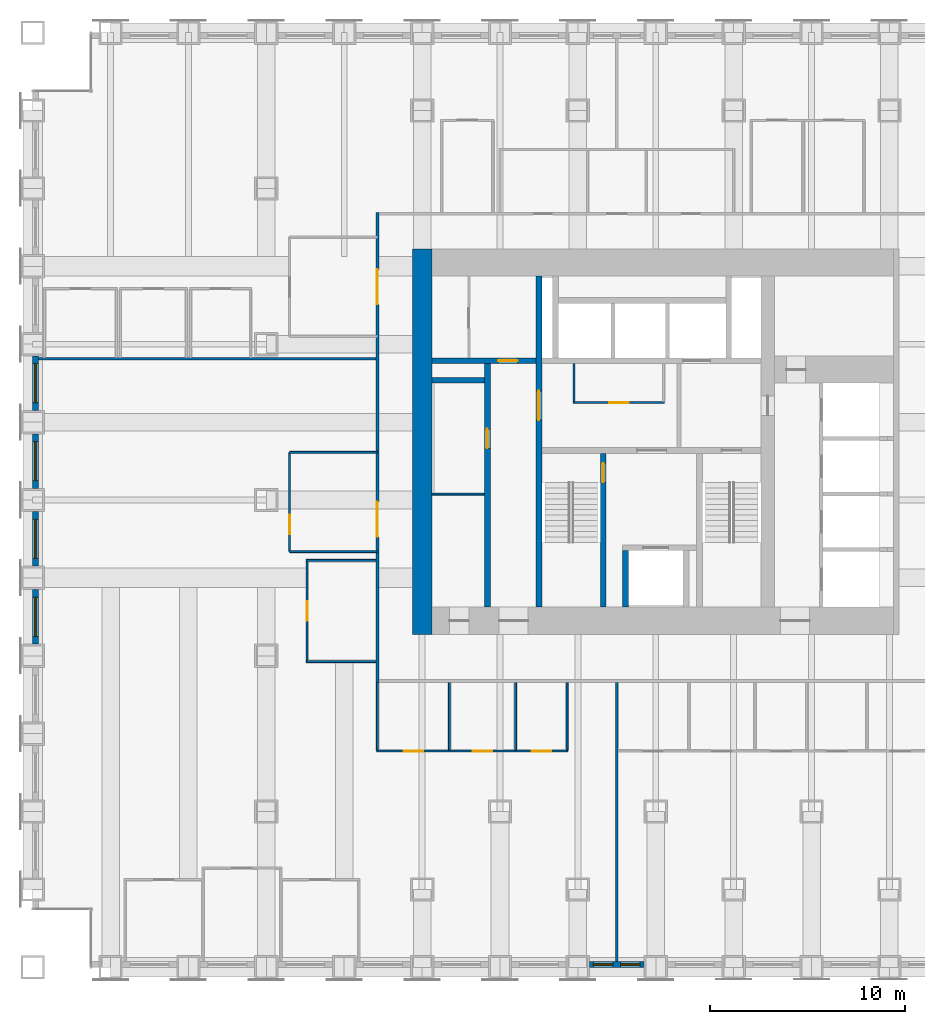
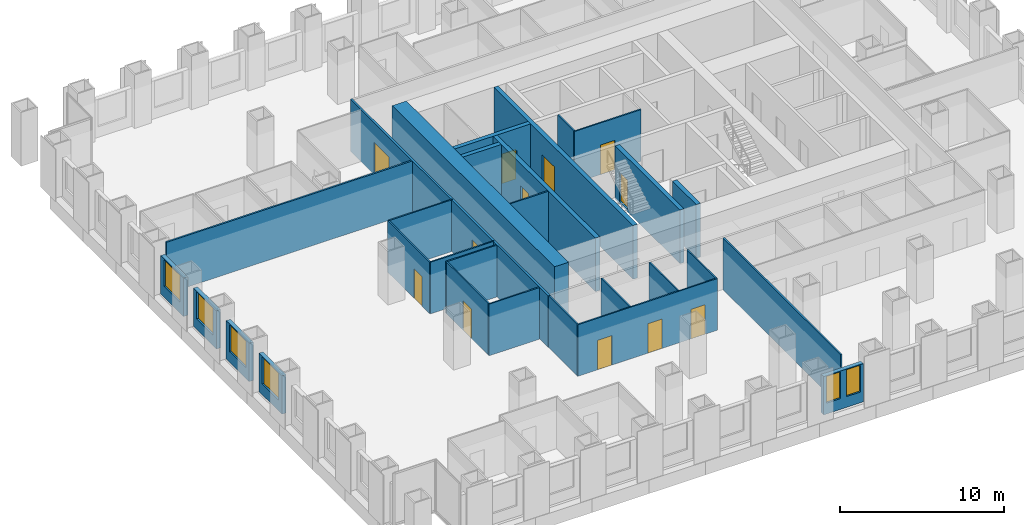
# One storey, part 8 of 14: 29 walls, 12 doors, 6 windows, 18 openings.
"""IFC4 building model written with IfcOpenShell, lengths in metres."""

from ifc_helpers import new_model, si_unit, direction, frame, frame_2d, origin, place, context, subcontext, project, spatial, rectangle, extrude, material, layer, layer_set, type_object, element, fill, save


model = new_model("IFC4")

# Units and contexts
model_context = context("Model", 3, precision=1e-05, world=origin(), true_north=direction((0.0, 1.0)))
body_context = subcontext(model_context, "Body", "Model", "MODEL_VIEW")
ifc_project = project(units=[si_unit("LENGTHUNIT", "METRE"), si_unit("AREAUNIT", "SQUARE_METRE"), si_unit("VOLUMEUNIT", "CUBIC_METRE"), si_unit("PLANEANGLEUNIT", "RADIAN"), si_unit("MASSUNIT", "GRAM", prefix="KILO")], contexts=[model_context])

# Site, building, storey
site_placement = place(None, origin())
site = spatial("IfcSite", under=ifc_project, at=site_placement, CompositionType="ELEMENT")
building_placement = place(site_placement, origin())
building = spatial("IfcBuilding", under=site, at=building_placement, Name="Rimbunsela Tower", CompositionType="ELEMENT")
storey_placement = place(building_placement, frame((0.0, 0.0, 63.0)))
storey = spatial("IfcBuildingStorey", under=building, at=storey_placement, Name="L15", CompositionType="ELEMENT", Elevation=63.0)

# Wall, opening, door
ifc_material_1 = material(Name="Concrete fc' 80 MPa", Category="concrete")
ifc_layer_1 = layer(ifc_material_1, 0.300048828125)
ifc_layer_set_1 = layer_set([ifc_layer_1], Name="Core internal wall 300")
wall_type_1 = type_object("IfcWallType", Name="Core internal wall 300", PredefinedType="SHEAR", material=ifc_layer_set_1)
wall_1_placement = place(storey_placement, frame((24.0, 18.5, -0.14990234375), z_axis=(0.0, 0.0, 1.0), x_axis=(0.0, 1.0, 0.0)))
wall_1 = element("IfcWall", 1, at=wall_1_placement, inside=storey, type_object=wall_type_1, Name="Core wall at stair A", PredefinedType="SHEAR", context=body_context, shape_type="SweptSolid", body=[
    extrude(rectangle(XDim=17.0, YDim=0.300048828125, at=frame_2d((8.5, 0.0))), origin(), (0.0, 0.0, 1.0), 4.0),
])
opening_1_placement = place(wall_1_placement, frame((9.60009765625, 0.0, 0.14990234375)))
opening_1 = element("IfcOpeningElement", 2, at=opening_1_placement, cuts=wall_1, Name="Opening D03", PredefinedType="OPENING", context=body_context, shape_type="SweptSolid", body=[
    extrude(rectangle(XDim=1.5, YDim=2.39990234375, at=frame_2d((0.75, 1.199951171875))), frame((0.0, 0.159912109375, 0.0), z_axis=(0.0, -1.0, 0.0), x_axis=(1.0, 0.0, 0.0)), (0.0, 0.0, 1.0), 0.320068359375),
])
ifc_material_2 = material(Name="Steel door, fire rated", Category="steel")
door_type_1 = type_object("IfcDoorType", Name="Core lobby door 1500", OperationType="DOUBLE_DOOR_DOUBLE_SWING", PredefinedType="DOOR", material=ifc_material_2)
door_1_placement = place(opening_1_placement, origin())
door_1 = element("IfcDoor", 3, at=door_1_placement, inside=storey, type_object=door_type_1, Name="West lobby door", OperationType="DOUBLE_DOOR_DOUBLE_SWING", OverallHeight=2.39990234375, OverallWidth=1.5, PredefinedType="DOOR", context=body_context, shape_type="SweptSolid", body=[
    extrude(rectangle(XDim=1.5, YDim=2.39990234375, at=frame_2d((0.75, 1.199951171875))), frame((0.0, 0.02490234375, 0.0), z_axis=(0.0, -1.0, 0.0), x_axis=(1.0, 0.0, 0.0)), (0.0, 0.0, 1.0), 0.050048828125),
])
fill(opening_1, door_1)

wall_2_placement = place(storey_placement, frame((27.300048828125, 18.5, -0.14990234375), z_axis=(0.0, 0.0, 1.0), x_axis=(0.0, 1.0, 0.0)))
wall_2 = element("IfcWall", 4, at=wall_2_placement, inside=storey, type_object=wall_type_1, Name="Stair A enclosure", PredefinedType="SHEAR", context=body_context, shape_type="SweptSolid", body=[
    extrude(rectangle(XDim=7.89990234375, YDim=0.300048828125, at=frame_2d((3.949951171875, 0.0))), origin(), (0.0, 0.0, 1.0), 4.0),
])
opening_2_placement = place(wall_2_placement, frame((6.39990234375, 0.0, 0.14990234375)))
opening_2 = element("IfcOpeningElement", 5, at=opening_2_placement, cuts=wall_2, Name="Opening D01", PredefinedType="OPENING", context=body_context, shape_type="SweptSolid", body=[
    extrude(rectangle(XDim=1.0, YDim=2.199951171875, at=frame_2d((0.5, 1.10009765625))), frame((0.0, 0.159912109375, 0.0), z_axis=(0.0, -1.0, 0.0), x_axis=(1.0, 0.0, 0.0)), (0.0, 0.0, 1.0), 0.320068359375),
])
ifc_material_3 = material(Name="Steel door, fire rated", Category="steel")
door_type_2 = type_object("IfcDoorType", Name="Stair door 1000", OperationType="SINGLE_SWING_RIGHT", PredefinedType="DOOR", material=ifc_material_3)
door_2_placement = place(opening_2_placement, origin())
door_2 = element("IfcDoor", 6, at=door_2_placement, inside=storey, type_object=door_type_2, Name="Stair A door", OperationType="SINGLE_SWING_RIGHT", OverallHeight=2.199951171875, OverallWidth=1.0, PredefinedType="DOOR", context=body_context, shape_type="SweptSolid", body=[
    extrude(rectangle(XDim=1.0, YDim=2.199951171875, at=frame_2d((0.5, 1.10009765625))), frame((0.0, 0.02490234375, 0.0), z_axis=(0.0, -1.0, 0.0), x_axis=(1.0, 0.0, 0.0)), (0.0, 0.0, 1.0), 0.050048828125),
])
fill(opening_2, door_2)

# Wall
wall_3_placement = place(storey_placement, frame((28.449951171875, 18.5, -0.14990234375), z_axis=(0.0, 0.0, 1.0), x_axis=(0.0, 1.0, 0.0)))
element("IfcWall", 7, at=wall_3_placement, inside=storey, type_object=wall_type_1, Name="Firefighting lift shaft west", PredefinedType="SHEAR", context=body_context, shape_type="SweptSolid", body=[
    extrude(rectangle(XDim=2.89990234375, YDim=0.300048828125, at=frame_2d((1.449951171875, 0.0))), origin(), (0.0, 0.0, 1.0), 4.0),
])

# Wall, opening, door
wall_4_placement = place(storey_placement, frame((21.35009765625, 18.5, -0.14990234375), z_axis=(0.0, 0.0, 1.0), x_axis=(0.0, 1.0, 0.0)))
wall_4 = element("IfcWall", 8, at=wall_4_placement, inside=storey, type_object=wall_type_1, Name="Lift shaft front west", PredefinedType="SHEAR", context=body_context, shape_type="SweptSolid", body=[
    extrude(rectangle(XDim=12.5, YDim=0.300048828125, at=frame_2d((6.25, 0.0))), origin(), (0.0, 0.0, 1.0), 4.0),
])
opening_3_placement = place(wall_4_placement, frame((8.14990234375, 0.0, 0.14990234375)))
opening_3 = element("IfcOpeningElement", 9, at=opening_3_placement, cuts=wall_4, Name="Opening D19", PredefinedType="OPENING", context=body_context, shape_type="SweptSolid", body=[
    extrude(rectangle(XDim=1.0, YDim=2.199951171875, at=frame_2d((0.5, 1.10009765625))), frame((0.0, 0.159912109375, 0.0), z_axis=(0.0, -1.0, 0.0), x_axis=(1.0, 0.0, 0.0)), (0.0, 0.0, 1.0), 0.320068359375),
])
ifc_material_4 = material(Name="Steel door, fire rated", Category="steel")
door_type_3 = type_object("IfcDoorType", Name="Service door 1000 fire rated", OperationType="SINGLE_SWING_LEFT", PredefinedType="DOOR", material=ifc_material_4)
door_3_placement = place(opening_3_placement, origin())
door_3 = element("IfcDoor", 10, at=door_3_placement, inside=storey, type_object=door_type_3, Name="IT room door", OperationType="SINGLE_SWING_LEFT", OverallHeight=2.199951171875, OverallWidth=1.0, PredefinedType="DOOR", context=body_context, shape_type="SweptSolid", body=[
    extrude(rectangle(XDim=1.0, YDim=2.199951171875, at=frame_2d((0.5, 1.10009765625))), frame((0.0, 0.02490234375, 0.0), z_axis=(0.0, -1.0, 0.0), x_axis=(1.0, 0.0, 0.0)), (0.0, 0.0, 1.0), 0.050048828125),
])
fill(opening_3, door_3)

wall_5_placement = place(storey_placement, frame((18.5, 31.14990234375, -0.14990234375), z_axis=(0.0, 0.0, 1.0), x_axis=(1.0, 0.0, 0.0)))
wall_5 = element("IfcWall", 11, at=wall_5_placement, inside=storey, type_object=wall_type_1, Name="Store wall", PredefinedType="SHEAR", context=body_context, shape_type="SweptSolid", body=[
    extrude(rectangle(XDim=5.35009765625, YDim=0.300048828125, at=frame_2d((2.675048828125, 0.0))), origin(), (0.0, 0.0, 1.0), 4.0),
])
opening_4_placement = place(wall_5_placement, frame((3.39990234375, 0.0, 0.14990234375)))
opening_4 = element("IfcOpeningElement", 12, at=opening_4_placement, cuts=wall_5, Name="Opening D19", PredefinedType="OPENING", context=body_context, shape_type="SweptSolid", body=[
    extrude(rectangle(XDim=1.0, YDim=2.199951171875, at=frame_2d((0.5, 1.10009765625))), frame((0.0, 0.159912109375, 0.0), z_axis=(0.0, -1.0, 0.0), x_axis=(1.0, 0.0, 0.0)), (0.0, 0.0, 1.0), 0.320068359375),
])
door_4_placement = place(opening_4_placement, origin())
door_4 = element("IfcDoor", 13, at=door_4_placement, inside=storey, type_object=door_type_3, Name="Cleaners store door", OperationType="SINGLE_SWING_LEFT", OverallHeight=2.199951171875, OverallWidth=1.0, PredefinedType="DOOR", context=body_context, shape_type="SweptSolid", body=[
    extrude(rectangle(XDim=1.0, YDim=2.199951171875, at=frame_2d((0.5, 1.10009765625))), frame((0.0, 0.02490234375, 0.0), z_axis=(0.0, -1.0, 0.0), x_axis=(1.0, 0.0, 0.0)), (0.0, 0.0, 1.0), 0.050048828125),
])
fill(opening_4, door_4)

# Wall
wall_6_placement = place(storey_placement, frame((18.5, 30.14990234375, -0.14990234375), z_axis=(0.0, 0.0, 1.0), x_axis=(1.0, 0.0, 0.0)))
element("IfcWall", 14, at=wall_6_placement, inside=storey, type_object=wall_type_1, Name="Lift shaft rear west", PredefinedType="SHEAR", context=body_context, shape_type="SweptSolid", body=[
    extrude(rectangle(XDim=2.699951171875, YDim=0.300048828125, at=frame_2d((1.35009765625, 0.0))), origin(), (0.0, 0.0, 1.0), 4.0),
])

# Wall, opening, door
ifc_material_5 = material(Name="Concrete blockwork", Category="masonry")
ifc_layer_2 = layer(ifc_material_5, 0.10009765625)
ifc_layer_set_2 = layer_set([ifc_layer_2], Name="Core room partition 100")
wall_type_2 = type_object("IfcWallType", Name="Core room partition 100", PredefinedType="PARTITIONING", material=ifc_layer_set_2)
wall_7_placement = place(storey_placement, frame((25.75, 29.0, 0.0), z_axis=(0.0, 0.0, 1.0), x_axis=(1.0, 0.0, 0.0)))
wall_7 = element("IfcWall", 15, at=wall_7_placement, inside=storey, type_object=wall_type_2, Name="Lobby room wall", PredefinedType="PARTITIONING", context=body_context, shape_type="SweptSolid", body=[
    extrude(rectangle(XDim=4.699951171875, YDim=0.10009765625, at=frame_2d((2.35009765625, 0.0))), origin(), (0.0, 0.0, 1.0), 3.85009765625),
])
opening_5_placement = place(wall_7_placement, frame((1.85009765625, 0.0, 0.0)))
opening_5 = element("IfcOpeningElement", 16, at=opening_5_placement, cuts=wall_7, Name="Opening D19", PredefinedType="OPENING", context=body_context, shape_type="SweptSolid", body=[
    extrude(rectangle(XDim=1.0, YDim=2.199951171875, at=frame_2d((0.5, 1.10009765625))), frame((0.0, 0.06005859375, 0.0), z_axis=(0.0, -1.0, 0.0), x_axis=(1.0, 0.0, 0.0)), (0.0, 0.0, 1.0), 0.1201171875),
])
door_5_placement = place(opening_5_placement, origin())
door_5 = element("IfcDoor", 17, at=door_5_placement, inside=storey, type_object=door_type_3, Name="Tenant store door", OperationType="SINGLE_SWING_LEFT", OverallHeight=2.199951171875, OverallWidth=1.0, PredefinedType="DOOR", context=body_context, shape_type="SweptSolid", body=[
    extrude(rectangle(XDim=1.0, YDim=2.199951171875, at=frame_2d((0.5, 1.10009765625))), frame((0.0, 0.02490234375, 0.0), z_axis=(0.0, -1.0, 0.0), x_axis=(1.0, 0.0, 0.0)), (0.0, 0.0, 1.0), 0.050048828125),
])
fill(opening_5, door_5)

# Walls
wall_8_placement = place(storey_placement, frame((25.800048828125, 29.050048828125, 0.0), z_axis=(0.0, 0.0, 1.0), x_axis=(0.0, 1.0, 0.0)))
element("IfcWall", 18, at=wall_8_placement, inside=storey, type_object=wall_type_2, Name="Lobby room wall", PredefinedType="PARTITIONING", context=body_context, shape_type="SweptSolid", body=[
    extrude(rectangle(XDim=1.949951171875, YDim=0.10009765625, at=frame_2d((0.97509765625, 0.0))), origin(), (0.0, 0.0, 1.0), 3.85009765625),
])
wall_9_placement = place(storey_placement, frame((18.5, 24.300048828125, 0.0), z_axis=(0.0, 0.0, 1.0), x_axis=(1.0, 0.0, 0.0)))
element("IfcWall", 19, at=wall_9_placement, inside=storey, type_object=wall_type_2, Name="IT room wall", PredefinedType="PARTITIONING", context=body_context, shape_type="SweptSolid", body=[
    extrude(rectangle(XDim=2.699951171875, YDim=0.10009765625, at=frame_2d((1.35009765625, 0.0))), origin(), (0.0, 0.0, 1.0), 3.85009765625),
])
ifc_material_6 = material(Name="Concrete fc' 80 MPa", Category="concrete")
ifc_layer_3 = layer(ifc_material_6, 1.0)
ifc_layer_set_3 = layer_set([ifc_layer_3], Name="Core wall 1000")
wall_type_3 = type_object("IfcWallType", Name="Core wall 1000", PredefinedType="SHEAR", material=ifc_layer_set_3)
wall_10_placement = place(storey_placement, frame((18.0, 17.10009765625, -0.14990234375), z_axis=(0.0, 0.0, 1.0), x_axis=(0.0, 1.0, 0.0)))
element("IfcWall", 20, at=wall_10_placement, inside=storey, type_object=wall_type_3, Name="Core wall west", PredefinedType="SHEAR", context=body_context, shape_type="SweptSolid", body=[
    extrude(rectangle(XDim=19.7998046875, YDim=1.0, at=frame_2d((9.89990234375, 0.0))), origin(), (0.0, 0.0, 1.0), 4.0),
])

# Wall, openings, doors
ifc_material_7 = material(Name="Gypsum board on steel studs", Category="steel")
ifc_layer_4 = layer(ifc_material_7, 0.10009765625)
ifc_layer_set_4 = layer_set([ifc_layer_4], Name="Office partition 100")
wall_type_4 = type_object("IfcWallType", Name="Office partition 100", PredefinedType="PARTITIONING", material=ifc_layer_set_4)
wall_11_placement = place(storey_placement, frame((15.64990234375, 11.10009765625, 0.0), z_axis=(0.0, 0.0, 1.0), x_axis=(1.0, 0.0, 0.0)))
wall_11 = element("IfcWall", 21, at=wall_11_placement, inside=storey, type_object=wall_type_4, Name="Office partition", PredefinedType="PARTITIONING", context=body_context, shape_type="SweptSolid", body=[
    extrude(rectangle(XDim=9.85009765625, YDim=0.10009765625, at=frame_2d((4.925048828125, 0.0))), origin(), (0.0, 0.0, 1.0), 3.85009765625),
])
opening_6_placement = place(wall_11_placement, frame((1.39990234375, 0.0, 0.0)))
opening_6 = element("IfcOpeningElement", 22, at=opening_6_placement, cuts=wall_11, Name="Opening D17", PredefinedType="OPENING", context=body_context, shape_type="SweptSolid", body=[
    extrude(rectangle(XDim=1.0, YDim=2.199951171875, at=frame_2d((0.5, 1.10009765625))), frame((0.0, 0.06005859375, 0.0), z_axis=(0.0, -1.0, 0.0), x_axis=(1.0, 0.0, 0.0)), (0.0, 0.0, 1.0), 0.1201171875),
])
opening_7_placement = place(wall_11_placement, frame((4.949951171875, 0.0, 0.0)))
opening_7 = element("IfcOpeningElement", 23, at=opening_7_placement, cuts=wall_11, Name="Opening D16", PredefinedType="OPENING", context=body_context, shape_type="SweptSolid", body=[
    extrude(rectangle(XDim=1.0, YDim=2.199951171875, at=frame_2d((0.5, 1.10009765625))), frame((0.0, 0.06005859375, 0.0), z_axis=(0.0, -1.0, 0.0), x_axis=(1.0, 0.0, 0.0)), (0.0, 0.0, 1.0), 0.1201171875),
])
opening_8_placement = place(wall_11_placement, frame((7.97509765625, 0.0, 0.0)))
opening_8 = element("IfcOpeningElement", 24, at=opening_8_placement, cuts=wall_11, Name="Opening D16", PredefinedType="OPENING", context=body_context, shape_type="SweptSolid", body=[
    extrude(rectangle(XDim=1.0, YDim=2.199951171875, at=frame_2d((0.5, 1.10009765625))), frame((0.0, 0.06005859375, 0.0), z_axis=(0.0, -1.0, 0.0), x_axis=(1.0, 0.0, 0.0)), (0.0, 0.0, 1.0), 0.1201171875),
])
ifc_material_8 = material(Name="Glazed aluminium door", Category="aluminium")
door_type_4 = type_object("IfcDoorType", Name="Meeting room door 1000 glazed", OperationType="SINGLE_SWING_RIGHT", PredefinedType="DOOR", material=ifc_material_8)
door_6_placement = place(opening_6_placement, origin())
door_6 = element("IfcDoor", 25, at=door_6_placement, inside=storey, type_object=door_type_4, Name="Meeting room door", OperationType="SINGLE_SWING_RIGHT", OverallHeight=2.199951171875, OverallWidth=1.0, PredefinedType="DOOR", context=body_context, shape_type="SweptSolid", body=[
    extrude(rectangle(XDim=1.0, YDim=2.199951171875, at=frame_2d((0.5, 1.10009765625))), frame((0.0, 0.02490234375, 0.0), z_axis=(0.0, -1.0, 0.0), x_axis=(1.0, 0.0, 0.0)), (0.0, 0.0, 1.0), 0.050048828125),
])
fill(opening_6, door_6)
ifc_material_9 = material(Name="Timber door", Category="wood")
door_type_5 = type_object("IfcDoorType", Name="Office door 1000", OperationType="SINGLE_SWING_LEFT", PredefinedType="DOOR", material=ifc_material_9)
door_7_placement = place(opening_7_placement, origin())
door_7 = element("IfcDoor", 26, at=door_7_placement, inside=storey, type_object=door_type_5, Name="Office door", OperationType="SINGLE_SWING_LEFT", OverallHeight=2.199951171875, OverallWidth=1.0, PredefinedType="DOOR", context=body_context, shape_type="SweptSolid", body=[
    extrude(rectangle(XDim=1.0, YDim=2.199951171875, at=frame_2d((0.5, 1.10009765625))), frame((0.0, 0.02490234375, 0.0), z_axis=(0.0, -1.0, 0.0), x_axis=(1.0, 0.0, 0.0)), (0.0, 0.0, 1.0), 0.050048828125),
])
fill(opening_7, door_7)
door_8_placement = place(opening_8_placement, origin())
door_8 = element("IfcDoor", 27, at=door_8_placement, inside=storey, type_object=door_type_5, Name="Office door", OperationType="SINGLE_SWING_LEFT", OverallHeight=2.199951171875, OverallWidth=1.0, PredefinedType="DOOR", context=body_context, shape_type="SweptSolid", body=[
    extrude(rectangle(XDim=1.0, YDim=2.199951171875, at=frame_2d((0.5, 1.10009765625))), frame((0.0, 0.02490234375, 0.0), z_axis=(0.0, -1.0, 0.0), x_axis=(1.0, 0.0, 0.0)), (0.0, 0.0, 1.0), 0.050048828125),
])
fill(opening_8, door_8)

# Walls
for number, where, z_axis, x_axis, name in (
    (28, (12.050048828125, 15.699951171875, 0.0), (0.0, 0.0, 1.0), (1.0, 0.0, 0.0), "Office partition"),
    (29, (12.050048828125, 20.89990234375, 0.0), (0.0, 0.0, 1.0), (1.0, 0.0, 0.0), "Office partition"),
):
    element("IfcWall", number, at=place(storey_placement, frame(where, z_axis=z_axis, x_axis=x_axis)), inside=storey, type_object=wall_type_4, Name=name, PredefinedType="PARTITIONING", context=body_context, shape_type="SweptSolid", body=[
        extrude(rectangle(XDim=3.574951171875, YDim=0.10009765625, at=frame_2d((1.78759765625, 0.0))), origin(), (0.0, 0.0, 1.0), 3.85009765625),
    ])

# Wall, opening, door
wall_12_placement = place(storey_placement, frame((12.10009765625, 15.75, 0.0), z_axis=(0.0, 0.0, 1.0), x_axis=(0.0, 1.0, 0.0)))
wall_12 = element("IfcWall", 30, at=wall_12_placement, inside=storey, type_object=wall_type_4, Name="Office partition", PredefinedType="PARTITIONING", context=body_context, shape_type="SweptSolid", body=[
    extrude(rectangle(XDim=5.10009765625, YDim=0.10009765625, at=frame_2d((2.550048828125, 0.0))), origin(), (0.0, 0.0, 1.0), 3.85009765625),
])
opening_9_placement = place(wall_12_placement, frame((2.050048828125, 0.0, 0.0)))
opening_9 = element("IfcOpeningElement", 31, at=opening_9_placement, cuts=wall_12, Name="Opening D16", PredefinedType="OPENING", context=body_context, shape_type="SweptSolid", body=[
    extrude(rectangle(XDim=1.0, YDim=2.199951171875, at=frame_2d((0.5, 1.10009765625))), frame((0.0, 0.06005859375, 0.0), z_axis=(0.0, -1.0, 0.0), x_axis=(1.0, 0.0, 0.0)), (0.0, 0.0, 1.0), 0.1201171875),
])
door_9_placement = place(opening_9_placement, origin())
door_9 = element("IfcDoor", 32, at=door_9_placement, inside=storey, type_object=door_type_5, Name="Office door", OperationType="SINGLE_SWING_LEFT", OverallHeight=2.199951171875, OverallWidth=1.0, PredefinedType="DOOR", context=body_context, shape_type="SweptSolid", body=[
    extrude(rectangle(XDim=1.0, YDim=2.199951171875, at=frame_2d((0.5, 1.10009765625))), frame((0.0, 0.02490234375, 0.0), z_axis=(0.0, -1.0, 0.0), x_axis=(1.0, 0.0, 0.0)), (0.0, 0.0, 1.0), 0.050048828125),
])
fill(opening_9, door_9)

# Walls
for number, where, z_axis, x_axis, name in (
    (33, (15.699951171875, 11.14990234375, 0.0), (0.0, 0.0, 1.0), (0.0, 1.0, 0.0), "Office partition"),
    (34, (19.39990234375, 11.14990234375, 0.0), (0.0, 0.0, 1.0), (0.0, 1.0, 0.0), "Office partition"),
    (35, (22.800048828125, 11.14990234375, 0.0), (0.0, 0.0, 1.0), (0.0, 1.0, 0.0), "Office partition"),
    (36, (25.449951171875, 11.14990234375, 0.0), (0.0, 0.0, 1.0), (0.0, 1.0, 0.0), "Office partition"),
):
    element("IfcWall", number, at=place(storey_placement, frame(where, z_axis=z_axis, x_axis=x_axis)), inside=storey, type_object=wall_type_4, Name=name, PredefinedType="PARTITIONING", context=body_context, shape_type="SweptSolid", body=[
        extrude(rectangle(XDim=3.47509765625, YDim=0.10009765625, at=frame_2d((1.737548828125, 0.0))), origin(), (0.0, 0.0, 1.0), 3.85009765625),
    ])
wall_13_placement = place(storey_placement, frame((15.699951171875, 26.449951171875, 0.0), z_axis=(0.0, 0.0, 1.0), x_axis=(-1.0, 0.0, 0.0)))
element("IfcWall", 37, at=wall_13_placement, inside=storey, type_object=wall_type_4, Name="Office partition", PredefinedType="PARTITIONING", context=body_context, shape_type="SweptSolid", body=[
    extrude(rectangle(XDim=4.5, YDim=0.10009765625, at=frame_2d((2.25, 0.0))), origin(), (0.0, 0.0, 1.0), 3.85009765625),
])

# Wall, opening, door
wall_14_placement = place(storey_placement, frame((11.199951171875, 26.449951171875, 0.0), z_axis=(0.0, 0.0, 1.0), x_axis=(0.0, -1.0, 0.0)))
wall_14 = element("IfcWall", 38, at=wall_14_placement, inside=storey, type_object=wall_type_4, Name="Office partition", PredefinedType="PARTITIONING", context=body_context, shape_type="SweptSolid", body=[
    extrude(rectangle(XDim=5.099853515625, YDim=0.10009765625, at=frame_2d((2.5498046875, 0.0))), origin(), (0.0, 0.0, 1.0), 3.85009765625),
])
opening_10_placement = place(wall_14_placement, frame((3.199951171875, 0.0, 0.0)))
opening_10 = element("IfcOpeningElement", 39, at=opening_10_placement, cuts=wall_14, Name="Opening D17", PredefinedType="OPENING", context=body_context, shape_type="SweptSolid", body=[
    extrude(rectangle(XDim=1.0, YDim=2.199951171875, at=frame_2d((0.5, 1.10009765625))), frame((0.0, 0.06005859375, 0.0), z_axis=(0.0, -1.0, 0.0), x_axis=(1.0, 0.0, 0.0)), (0.0, 0.0, 1.0), 0.1201171875),
])
door_10_placement = place(opening_10_placement, origin())
door_10 = element("IfcDoor", 40, at=door_10_placement, inside=storey, type_object=door_type_4, Name="Reception door", OperationType="SINGLE_SWING_RIGHT", OverallHeight=2.199951171875, OverallWidth=1.0, PredefinedType="DOOR", context=body_context, shape_type="SweptSolid", body=[
    extrude(rectangle(XDim=1.0, YDim=2.199951171875, at=frame_2d((0.5, 1.10009765625))), frame((0.0, 0.02490234375, 0.0), z_axis=(0.0, -1.0, 0.0), x_axis=(1.0, 0.0, 0.0)), (0.0, 0.0, 1.0), 0.050048828125),
])
fill(opening_10, door_10)

# Wall
wall_15_placement = place(storey_placement, frame((11.199951171875, 21.35009765625, 0.0), z_axis=(0.0, 0.0, 1.0), x_axis=(1.0, 0.0, 0.0)))
element("IfcWall", 41, at=wall_15_placement, inside=storey, type_object=wall_type_4, Name="Office partition", PredefinedType="PARTITIONING", context=body_context, shape_type="SweptSolid", body=[
    extrude(rectangle(XDim=4.5, YDim=0.10009765625, at=frame_2d((2.25, 0.0))), origin(), (0.0, 0.0, 1.0), 3.85009765625),
])

# Wall, openings, windows
ifc_material_10 = material(Name="Precast concrete fc' 35 MPa", Category="concrete")
ifc_layer_5 = layer(ifc_material_10, 0.300048828125)
ifc_layer_set_5 = layer_set([ifc_layer_5], Name="Precast concrete fc' 35 MPa")
wall_type_5 = type_object("IfcWallType", Name="Precast facade panel 300", PredefinedType="ELEMENTEDWALL", material=ifc_layer_set_5)
wall_16_placement = place(storey_placement, frame((26.60009765625, 0.14990234375, 0.0), z_axis=(0.0, 0.0, 1.0), x_axis=(1.0, 0.0, 0.0)))
wall_16 = element("IfcWall", 42, at=wall_16_placement, inside=storey, type_object=wall_type_5, Name="Facade panel S L15", PredefinedType="ELEMENTEDWALL", context=body_context, shape_type="SweptSolid", body=[
    extrude(rectangle(XDim=2.7998046875, YDim=0.300048828125, at=frame_2d((1.39990234375, 0.0))), origin(), (0.0, 0.0, 1.0), 2.85009765625),
])
opening_11_placement = place(wall_16_placement, frame((0.199951171875, 0.0, 0.800048828125)))
opening_11 = element("IfcOpeningElement", 43, at=opening_11_placement, cuts=wall_16, Name="Opening W5", PredefinedType="OPENING", context=body_context, shape_type="SweptSolid", body=[
    extrude(rectangle(XDim=1.0, YDim=2.0, at=frame_2d((0.5, 1.0))), frame((0.0, 0.159912109375, 0.0), z_axis=(0.0, -1.0, 0.0), x_axis=(1.0, 0.0, 0.0)), (0.0, 0.0, 1.0), 0.320068359375),
])
opening_12_placement = place(wall_16_placement, frame((1.60009765625, 0.0, 0.800048828125)))
opening_12 = element("IfcOpeningElement", 44, at=opening_12_placement, cuts=wall_16, Name="Opening W5", PredefinedType="OPENING", context=body_context, shape_type="SweptSolid", body=[
    extrude(rectangle(XDim=1.0, YDim=2.0, at=frame_2d((0.5, 1.0))), frame((0.0, 0.159912109375, 0.0), z_axis=(0.0, -1.0, 0.0), x_axis=(1.0, 0.0, 0.0)), (0.0, 0.0, 1.0), 0.320068359375),
])
ifc_material_11 = material(Name="Clear glass in aluminium frame", Category="aluminium")
window_type_1 = type_object("IfcWindowType", Name="Window W5 1000x2000", PartitioningType="SINGLE_PANEL", PredefinedType="WINDOW", material=ifc_material_11)
window_1_placement = place(opening_11_placement, origin())
window_1 = element("IfcWindow", 45, at=window_1_placement, inside=storey, type_object=window_type_1, Name="Window L15", OverallHeight=2.0, OverallWidth=1.0, PartitioningType="SINGLE_PANEL", PredefinedType="WINDOW", context=body_context, shape_type="SweptSolid", body=[
    extrude(rectangle(XDim=1.0, YDim=2.0, at=frame_2d((0.5, 1.0))), frame((0.0, 0.030029296875, 0.0), z_axis=(0.0, -1.0, 0.0), x_axis=(1.0, 0.0, 0.0)), (0.0, 0.0, 1.0), 0.06005859375),
])
fill(opening_11, window_1)
window_2_placement = place(opening_12_placement, origin())
window_2 = element("IfcWindow", 46, at=window_2_placement, inside=storey, type_object=window_type_1, Name="Window L15", OverallHeight=2.0, OverallWidth=1.0, PartitioningType="SINGLE_PANEL", PredefinedType="WINDOW", context=body_context, shape_type="SweptSolid", body=[
    extrude(rectangle(XDim=1.0, YDim=2.0, at=frame_2d((0.5, 1.0))), frame((0.0, 0.030029296875, 0.0), z_axis=(0.0, -1.0, 0.0), x_axis=(1.0, 0.0, 0.0)), (0.0, 0.0, 1.0), 0.06005859375),
])
fill(opening_12, window_2)

# Wall, opening, window
wall_17_placement = place(storey_placement, frame((-1.85009765625, 19.39990234375, 0.0), z_axis=(0.0, 0.0, 1.0), x_axis=(0.0, -1.0, 0.0)))
wall_17 = element("IfcWall", 47, at=wall_17_placement, inside=storey, type_object=wall_type_5, Name="Facade panel W L15", PredefinedType="ELEMENTEDWALL", context=body_context, shape_type="SweptSolid", body=[
    extrude(rectangle(XDim=2.7998046875, YDim=0.300048828125, at=frame_2d((1.39990234375, 0.0))), origin(), (0.0, 0.0, 1.0), 2.85009765625),
])
opening_13_placement = place(wall_17_placement, frame((0.39990234375, 0.0, 0.800048828125)))
opening_13 = element("IfcOpeningElement", 48, at=opening_13_placement, cuts=wall_17, Name="Opening W1", PredefinedType="OPENING", context=body_context, shape_type="SweptSolid", body=[
    extrude(rectangle(XDim=2.0, YDim=2.0, at=frame_2d((1.0, 1.0))), frame((0.0, 0.159912109375, 0.0), z_axis=(0.0, -1.0, 0.0), x_axis=(1.0, 0.0, 0.0)), (0.0, 0.0, 1.0), 0.320068359375),
])
ifc_material_12 = material(Name="Clear glass in aluminium frame", Category="aluminium")
window_type_2 = type_object("IfcWindowType", Name="Window W1 2000x2000", PartitioningType="DOUBLE_PANEL_VERTICAL", PredefinedType="WINDOW", material=ifc_material_12)
window_3_placement = place(opening_13_placement, origin())
window_3 = element("IfcWindow", 49, at=window_3_placement, inside=storey, type_object=window_type_2, Name="Window L15", OverallHeight=2.0, OverallWidth=2.0, PartitioningType="SINGLE_PANEL", PredefinedType="WINDOW", context=body_context, shape_type="SweptSolid", body=[
    extrude(rectangle(XDim=2.0, YDim=2.0, at=frame_2d((1.0, 1.0))), frame((0.0, 0.030029296875, 0.0), z_axis=(0.0, -1.0, 0.0), x_axis=(1.0, 0.0, 0.0)), (0.0, 0.0, 1.0), 0.06005859375),
])
fill(opening_13, window_3)

wall_18_placement = place(storey_placement, frame((-1.85009765625, 23.39990234375, 0.0), z_axis=(0.0, 0.0, 1.0), x_axis=(0.0, -1.0, 0.0)))
wall_18 = element("IfcWall", 50, at=wall_18_placement, inside=storey, type_object=wall_type_5, Name="Facade panel W L15", PredefinedType="ELEMENTEDWALL", context=body_context, shape_type="SweptSolid", body=[
    extrude(rectangle(XDim=2.7998046875, YDim=0.300048828125, at=frame_2d((1.39990234375, 0.0))), origin(), (0.0, 0.0, 1.0), 2.85009765625),
])
opening_14_placement = place(wall_18_placement, frame((0.39990234375, 0.0, 0.800048828125)))
opening_14 = element("IfcOpeningElement", 51, at=opening_14_placement, cuts=wall_18, Name="Opening W1", PredefinedType="OPENING", context=body_context, shape_type="SweptSolid", body=[
    extrude(rectangle(XDim=2.0, YDim=2.0, at=frame_2d((1.0, 1.0))), frame((0.0, 0.159912109375, 0.0), z_axis=(0.0, -1.0, 0.0), x_axis=(1.0, 0.0, 0.0)), (0.0, 0.0, 1.0), 0.320068359375),
])
window_4_placement = place(opening_14_placement, origin())
window_4 = element("IfcWindow", 52, at=window_4_placement, inside=storey, type_object=window_type_2, Name="Window L15", OverallHeight=2.0, OverallWidth=2.0, PartitioningType="SINGLE_PANEL", PredefinedType="WINDOW", context=body_context, shape_type="SweptSolid", body=[
    extrude(rectangle(XDim=2.0, YDim=2.0, at=frame_2d((1.0, 1.0))), frame((0.0, 0.030029296875, 0.0), z_axis=(0.0, -1.0, 0.0), x_axis=(1.0, 0.0, 0.0)), (0.0, 0.0, 1.0), 0.06005859375),
])
fill(opening_14, window_4)

wall_19_placement = place(storey_placement, frame((-1.85009765625, 27.39990234375, 0.0), z_axis=(0.0, 0.0, 1.0), x_axis=(0.0, -1.0, 0.0)))
wall_19 = element("IfcWall", 53, at=wall_19_placement, inside=storey, type_object=wall_type_5, Name="Facade panel W L15", PredefinedType="ELEMENTEDWALL", context=body_context, shape_type="SweptSolid", body=[
    extrude(rectangle(XDim=2.7998046875, YDim=0.300048828125, at=frame_2d((1.39990234375, 0.0))), origin(), (0.0, 0.0, 1.0), 2.85009765625),
])
opening_15_placement = place(wall_19_placement, frame((0.39990234375, 0.0, 0.800048828125)))
opening_15 = element("IfcOpeningElement", 54, at=opening_15_placement, cuts=wall_19, Name="Opening W1", PredefinedType="OPENING", context=body_context, shape_type="SweptSolid", body=[
    extrude(rectangle(XDim=2.0, YDim=2.0, at=frame_2d((1.0, 1.0))), frame((0.0, 0.159912109375, 0.0), z_axis=(0.0, -1.0, 0.0), x_axis=(1.0, 0.0, 0.0)), (0.0, 0.0, 1.0), 0.320068359375),
])
window_5_placement = place(opening_15_placement, origin())
window_5 = element("IfcWindow", 55, at=window_5_placement, inside=storey, type_object=window_type_2, Name="Window L15", OverallHeight=2.0, OverallWidth=2.0, PartitioningType="SINGLE_PANEL", PredefinedType="WINDOW", context=body_context, shape_type="SweptSolid", body=[
    extrude(rectangle(XDim=2.0, YDim=2.0, at=frame_2d((1.0, 1.0))), frame((0.0, 0.030029296875, 0.0), z_axis=(0.0, -1.0, 0.0), x_axis=(1.0, 0.0, 0.0)), (0.0, 0.0, 1.0), 0.06005859375),
])
fill(opening_15, window_5)

wall_20_placement = place(storey_placement, frame((-1.85009765625, 31.39990234375, 0.0), z_axis=(0.0, 0.0, 1.0), x_axis=(0.0, -1.0, 0.0)))
wall_20 = element("IfcWall", 56, at=wall_20_placement, inside=storey, type_object=wall_type_5, Name="Facade panel W L15", PredefinedType="ELEMENTEDWALL", context=body_context, shape_type="SweptSolid", body=[
    extrude(rectangle(XDim=2.7998046875, YDim=0.300048828125, at=frame_2d((1.39990234375, 0.0))), origin(), (0.0, 0.0, 1.0), 2.85009765625),
])
opening_16_placement = place(wall_20_placement, frame((0.39990234375, 0.0, 0.800048828125)))
opening_16 = element("IfcOpeningElement", 57, at=opening_16_placement, cuts=wall_20, Name="Opening W1", PredefinedType="OPENING", context=body_context, shape_type="SweptSolid", body=[
    extrude(rectangle(XDim=2.0, YDim=2.0, at=frame_2d((1.0, 1.0))), frame((0.0, 0.159912109375, 0.0), z_axis=(0.0, -1.0, 0.0), x_axis=(1.0, 0.0, 0.0)), (0.0, 0.0, 1.0), 0.320068359375),
])
window_6_placement = place(opening_16_placement, origin())
window_6 = element("IfcWindow", 58, at=window_6_placement, inside=storey, type_object=window_type_2, Name="Window L15", OverallHeight=2.0, OverallWidth=2.0, PartitioningType="SINGLE_PANEL", PredefinedType="WINDOW", context=body_context, shape_type="SweptSolid", body=[
    extrude(rectangle(XDim=2.0, YDim=2.0, at=frame_2d((1.0, 1.0))), frame((0.0, 0.030029296875, 0.0), z_axis=(0.0, -1.0, 0.0), x_axis=(1.0, 0.0, 0.0)), (0.0, 0.0, 1.0), 0.06005859375),
])
fill(opening_16, window_6)

# Wall, openings, doors
ifc_material_13 = material(Name="Fire-rated gypsum board on steel studs, EI 60", Category="steel")
ifc_layer_6 = layer(ifc_material_13, 0.14990234375)
ifc_layer_set_6 = layer_set([ifc_layer_6], Name="Rated corridor wall 150")
wall_type_6 = type_object("IfcWallType", Name="Rated corridor wall 150", PredefinedType="PARTITIONING", material=ifc_layer_set_6)
wall_21_placement = place(storey_placement, frame((15.699951171875, 14.625, 0.0), z_axis=(0.0, 0.0, 1.0), x_axis=(0.0, 1.0, 0.0)))
wall_21 = element("IfcWall", 59, at=wall_21_placement, inside=storey, type_object=wall_type_6, Name="Corridor wall west", PredefinedType="PARTITIONING", context=body_context, shape_type="SweptSolid", body=[
    extrude(rectangle(XDim=24.14990234375, YDim=0.14990234375, at=frame_2d((12.074951171875, 0.0))), origin(), (0.0, 0.0, 1.0), 3.85009765625),
])
opening_17_placement = place(wall_21_placement, frame((7.47509765625, 0.0, 0.0)))
opening_17 = element("IfcOpeningElement", 60, at=opening_17_placement, cuts=wall_21, Name="Opening D09", PredefinedType="OPENING", context=body_context, shape_type="SweptSolid", body=[
    extrude(rectangle(XDim=1.800048828125, YDim=2.39990234375, at=frame_2d((0.89990234375, 1.199951171875))), frame((0.0, 0.0849609375, 0.0), z_axis=(0.0, -1.0, 0.0), x_axis=(1.0, 0.0, 0.0)), (0.0, 0.0, 1.0), 0.169921875),
])
opening_18_placement = place(wall_21_placement, frame((19.425048828125, 0.0, 0.0)))
opening_18 = element("IfcOpeningElement", 61, at=opening_18_placement, cuts=wall_21, Name="Opening D09", PredefinedType="OPENING", context=body_context, shape_type="SweptSolid", body=[
    extrude(rectangle(XDim=1.800048828125, YDim=2.39990234375, at=frame_2d((0.89990234375, 1.199951171875))), frame((0.0, 0.0849609375, 0.0), z_axis=(0.0, -1.0, 0.0), x_axis=(1.0, 0.0, 0.0)), (0.0, 0.0, 1.0), 0.169921875),
])
ifc_material_14 = material(Name="Glazed aluminium door, fire rated", Category="aluminium")
door_type_6 = type_object("IfcDoorType", Name="Tenancy door 1800 glazed", OperationType="DOUBLE_DOOR_DOUBLE_SWING", PredefinedType="DOOR", material=ifc_material_14)
door_11_placement = place(opening_17_placement, origin())
door_11 = element("IfcDoor", 62, at=door_11_placement, inside=storey, type_object=door_type_6, Name="Tenancy door", OperationType="DOUBLE_DOOR_DOUBLE_SWING", OverallHeight=2.39990234375, OverallWidth=1.800048828125, PredefinedType="DOOR", context=body_context, shape_type="SweptSolid", body=[
    extrude(rectangle(XDim=1.800048828125, YDim=2.39990234375, at=frame_2d((0.89990234375, 1.199951171875))), frame((0.0, 0.02490234375, 0.0), z_axis=(0.0, -1.0, 0.0), x_axis=(1.0, 0.0, 0.0)), (0.0, 0.0, 1.0), 0.050048828125),
])
fill(opening_17, door_11)
door_12_placement = place(opening_18_placement, origin())
door_12 = element("IfcDoor", 63, at=door_12_placement, inside=storey, type_object=door_type_6, Name="Tenancy door", OperationType="DOUBLE_DOOR_DOUBLE_SWING", OverallHeight=2.39990234375, OverallWidth=1.800048828125, PredefinedType="DOOR", context=body_context, shape_type="SweptSolid", body=[
    extrude(rectangle(XDim=1.800048828125, YDim=2.39990234375, at=frame_2d((0.89990234375, 1.199951171875))), frame((0.0, 0.02490234375, 0.0), z_axis=(0.0, -1.0, 0.0), x_axis=(1.0, 0.0, 0.0)), (0.0, 0.0, 1.0), 0.050048828125),
])
fill(opening_18, door_12)

# Walls
ifc_material_15 = material(Name="Gypsum board on steel studs", Category="steel")
ifc_layer_7 = layer(ifc_material_15, 0.1201171875)
ifc_layer_set_7 = layer_set([ifc_layer_7], Name="Tenancy partition 120")
wall_type_7 = type_object("IfcWallType", Name="Tenancy partition 120", PredefinedType="PARTITIONING", material=ifc_layer_set_7)
wall_22_placement = place(storey_placement, frame((28.0, 0.300048828125, 0.0), z_axis=(0.0, 0.0, 1.0), x_axis=(0.0, 1.0, 0.0)))
element("IfcWall", 64, at=wall_22_placement, inside=storey, type_object=wall_type_7, Name="Tenancy partition south", PredefinedType="PARTITIONING", context=body_context, shape_type="SweptSolid", body=[
    extrude(rectangle(XDim=14.324951171875, YDim=0.1201171875, at=frame_2d((7.16259765625, 0.0))), origin(), (0.0, 0.0, 1.0), 3.85009765625),
])
wall_23_placement = place(storey_placement, frame((-1.699951171875, 31.25, 0.0), z_axis=(0.0, 0.0, 1.0), x_axis=(1.0, 0.0, 0.0)))
element("IfcWall", 65, at=wall_23_placement, inside=storey, type_object=wall_type_7, Name="Tenancy partition", PredefinedType="PARTITIONING", context=body_context, shape_type="SweptSolid", body=[
    extrude(rectangle(XDim=17.324951171875, YDim=0.1201171875, at=frame_2d((8.66259765625, 0.0))), origin(), (0.0, 0.0, 1.0), 3.85009765625),
])

save(model, "model.ifc")
